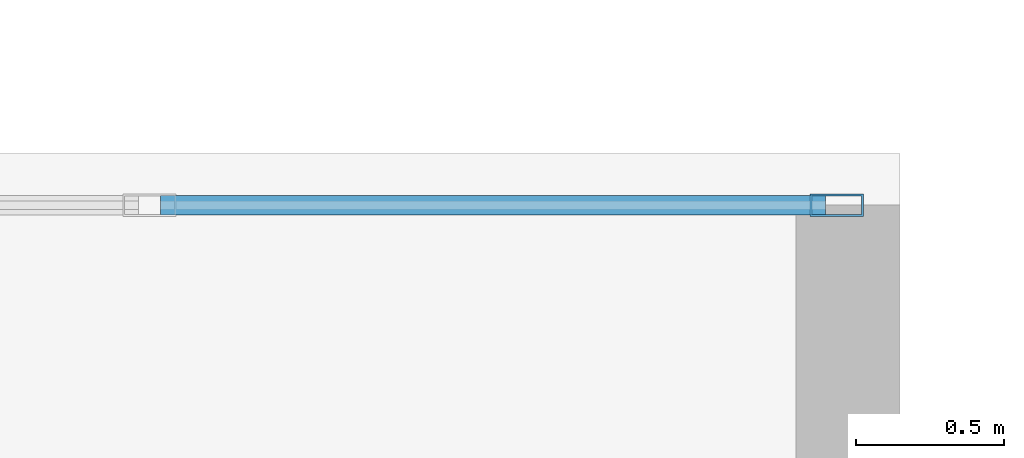
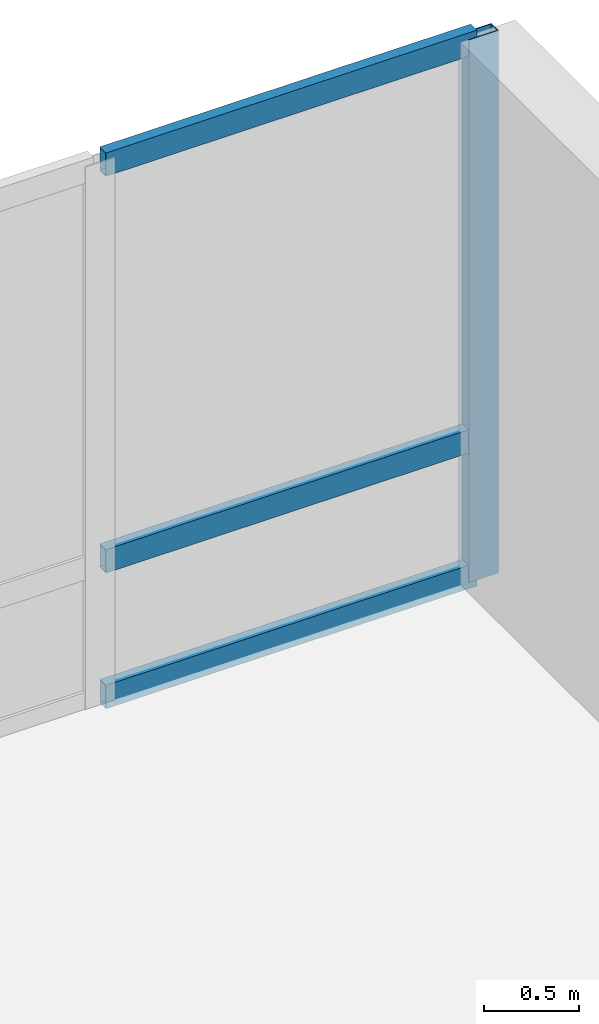
# One storey, part 4 of 16: 4 members, 1 element without a shape of its own.
"""IFC4 building model written with IfcOpenShell, lengths in metres."""

from ifc_helpers import new_model, si_unit, direction, frame, origin, origin_2d, place, context, subcontext, project, spatial, hollow_rectangle, extrude, material, layer, layer_set, material_profile, profile_set, type_object, element, aggregate, save


model = new_model("IFC4")

# Units and contexts
model_context = context("Model", 3, precision=1e-05, world=origin(), true_north=direction((0.0, 1.0)))
body_context = subcontext(model_context, "Body", "Model", "MODEL_VIEW")
ifc_project = project(units=[si_unit("LENGTHUNIT", "METRE"), si_unit("AREAUNIT", "SQUARE_METRE"), si_unit("VOLUMEUNIT", "CUBIC_METRE"), si_unit("PLANEANGLEUNIT", "RADIAN"), si_unit("MASSUNIT", "GRAM", prefix="KILO")], contexts=[model_context])

# Site, building, storey
site_placement = place(None, origin())
site = spatial("IfcSite", under=ifc_project, at=site_placement, CompositionType="ELEMENT")
building_placement = place(site_placement, origin())
building = spatial("IfcBuilding", under=site, at=building_placement, Name="Koriwani Terraces Tower", CompositionType="ELEMENT")
storey_placement = place(building_placement, frame((0.0, 0.0, 252.699951171875)))
storey = spatial("IfcBuildingStorey", under=building, at=storey_placement, Name="L62", CompositionType="ELEMENT", Elevation=252.699951171875)

# Curtain wall, members
ifc_material = material(Name="Anodised Bronze Aluminium", Category="aluminium")
ifc_layer = layer(ifc_material, 0.169921875, Name="Anodised Bronze Aluminium")
ifc_layer_set = layer_set([ifc_layer], Name="Anodised Bronze Aluminium")
curtain_wall_type = type_object("IfcCurtainWallType", Name="CW_RES_ZONE4", PredefinedType="NOTDEFINED", material=ifc_layer_set)
curtain_wall_placement = place(storey_placement, origin())
curtain_wall = element("IfcCurtainWall", 1, at=curtain_wall_placement, inside=storey, type_object=curtain_wall_type, Name="L62 Unitised Curtain Wall (N_TIP) Bay 3", PredefinedType="NOTDEFINED")
ifc_material_profile_1 = material_profile(ifc_material, hollow_rectangle(XDim=0.074951171875, YDim=0.179931640625, WallThickness=0.006103515625, at=origin_2d()), Name="Anodised Bronze Aluminium", Category="LoadBearing")
ifc_profile_set_1 = profile_set([ifc_material_profile_1], Name="Anodised Bronze Aluminium")
member_type_1 = type_object("IfcMemberType", Name="CW_MULLION_180X75", PredefinedType="MULLION", material=ifc_profile_set_1)
member_1_placement = place(storey_placement, frame((30.387451171875, 75.425048828125, 0.0), z_axis=(0.0, 0.0, 1.0), x_axis=(0.0, 1.0, 0.0)))
member_1 = element("IfcMember", 2, at=member_1_placement, type_object=member_type_1, Name="CW-Z4 mullion 3", PredefinedType="MULLION", context=body_context, shape_type="SweptSolid", body=[
    extrude(hollow_rectangle(XDim=0.074951171875, YDim=0.179931640625, WallThickness=0.006103515625, at=origin_2d()), origin(), (0.0, 0.0, 1.0), 3.469970703125),
])
ifc_material_profile_2 = material_profile(ifc_material, hollow_rectangle(XDim=0.06494140625, YDim=0.14990234375, WallThickness=0.0048828125, at=origin_2d()), Name="Anodised Bronze Aluminium", Category="LoadBearing")
ifc_profile_set_2 = profile_set([ifc_material_profile_2], Name="Anodised Bronze Aluminium")
member_type_2 = type_object("IfcMemberType", Name="CW_TRANSOM_150X65", PredefinedType="USERDEFINED", material=ifc_profile_set_2)
member_2_placement = place(storey_placement, frame((28.10498046875, 75.425048828125, 0.032470703125), z_axis=(1.0, 0.0, 0.0), x_axis=(0.0, 1.0, 0.0)))
member_2 = element("IfcMember", 3, at=member_2_placement, type_object=member_type_2, Name="CW-Z4 transom 2.1", ObjectType="TRANSOM", PredefinedType="USERDEFINED", context=body_context, shape_type="SweptSolid", body=[
    extrude(hollow_rectangle(XDim=0.06494140625, YDim=0.14990234375, WallThickness=0.0048828125, at=origin_2d()), origin(), (0.0, 0.0, 1.0), 2.2451171875),
])
member_3_placement = place(storey_placement, frame((28.10498046875, 75.425048828125, 0.900146484375), z_axis=(1.0, 0.0, 0.0), x_axis=(0.0, 1.0, 0.0)))
member_3 = element("IfcMember", 4, at=member_3_placement, type_object=member_type_2, Name="CW-Z4 transom 2.2", ObjectType="TRANSOM", PredefinedType="USERDEFINED", context=body_context, shape_type="SweptSolid", body=[
    extrude(hollow_rectangle(XDim=0.06494140625, YDim=0.14990234375, WallThickness=0.0048828125, at=origin_2d()), origin(), (0.0, 0.0, 1.0), 2.2451171875),
])
member_4_placement = place(storey_placement, frame((28.10498046875, 75.425048828125, 3.4375), z_axis=(1.0, 0.0, 0.0), x_axis=(0.0, 1.0, 0.0)))
member_4 = element("IfcMember", 5, at=member_4_placement, type_object=member_type_2, Name="CW-Z4 transom 2.3", ObjectType="TRANSOM", PredefinedType="USERDEFINED", context=body_context, shape_type="SweptSolid", body=[
    extrude(hollow_rectangle(XDim=0.06494140625, YDim=0.14990234375, WallThickness=0.0048828125, at=origin_2d()), origin(), (0.0, 0.0, 1.0), 2.2451171875),
])
aggregate(curtain_wall, [member_1, member_2, member_3, member_4])

save(model, "model.ifc")
